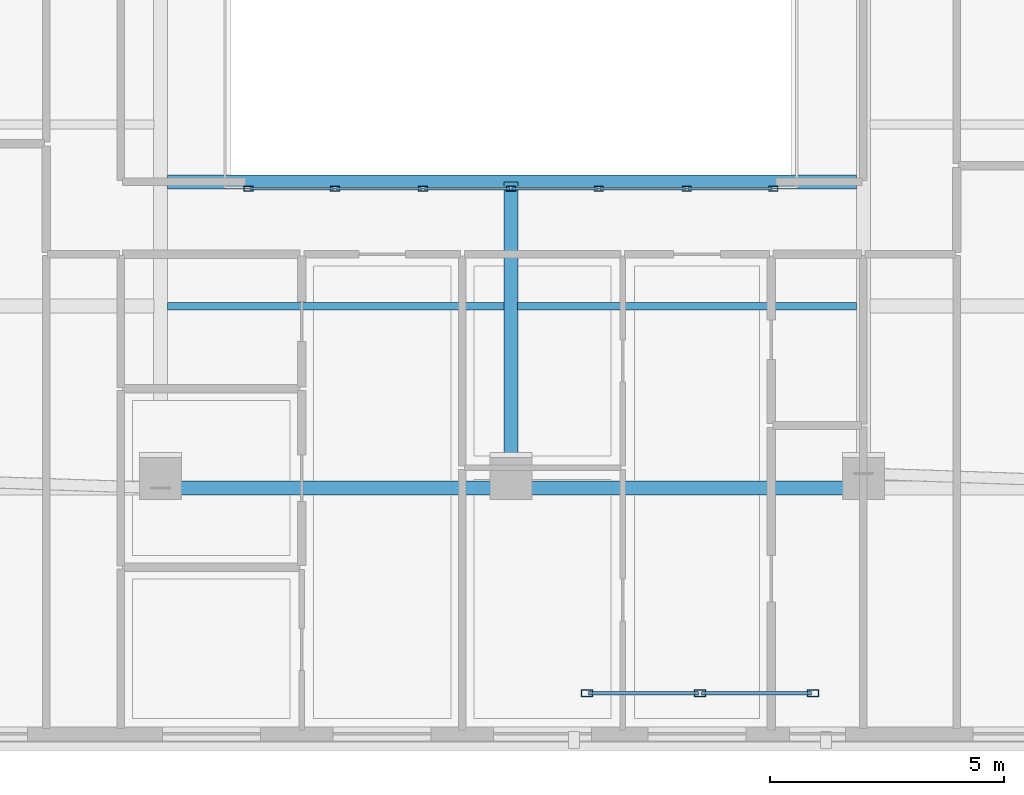
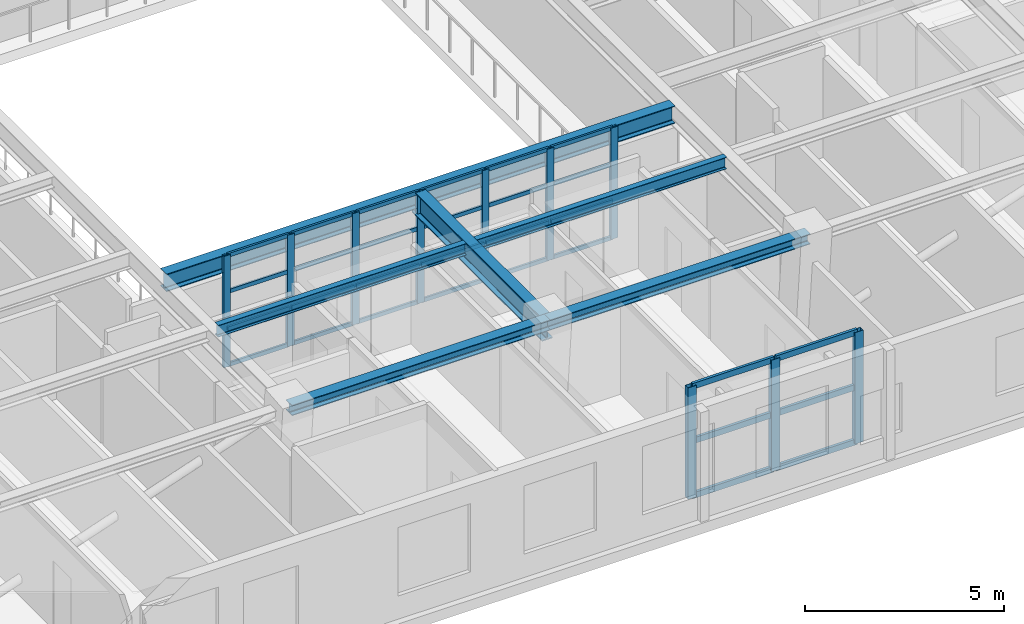
# One storey, part 2 of 14: 40 members, 6 beams, 2 elements without a shape of their own.
"""IFC4 building model written with IfcOpenShell, lengths in metres."""

from ifc_helpers import new_model, si_unit, direction, frame, origin, origin_2d, place, context, subcontext, project, spatial, hollow_rectangle, i_section, extrude, material, layer, layer_set, material_profile, profile_set, type_object, element, aggregate, save


model = new_model("IFC4")

# Units and contexts
model_context = context("Model", 3, precision=1e-05, world=origin(), true_north=direction((0.0, 1.0)))
body_context = subcontext(model_context, "Body", "Model", "MODEL_VIEW")
ifc_project = project(units=[si_unit("LENGTHUNIT", "METRE"), si_unit("AREAUNIT", "SQUARE_METRE"), si_unit("VOLUMEUNIT", "CUBIC_METRE"), si_unit("PLANEANGLEUNIT", "RADIAN"), si_unit("MASSUNIT", "GRAM", prefix="KILO")], contexts=[model_context])

# Site, building, storey
site_placement = place(None, origin())
site = spatial("IfcSite", under=ifc_project, at=site_placement, CompositionType="ELEMENT")
building_placement = place(site_placement, origin())
building = spatial("IfcBuilding", under=site, at=building_placement, Name="Zarnavel Station Tower", CompositionType="ELEMENT")
storey_placement = place(building_placement, frame((0.0, 0.0, 243.60009765625)))
storey = spatial("IfcBuildingStorey", under=building, at=storey_placement, Name="L66", CompositionType="ELEMENT", Elevation=243.60009765625)

# Curtain wall, members
ifc_material_1 = material(Name="Aluminium Dark Anodised and Solar-Control Glass", Category="aluminium")
ifc_layer_1 = layer(ifc_material_1, 0.179931640625)
ifc_layer_set_1 = layer_set([ifc_layer_1], Name="CWS5")
curtain_wall_type_1 = type_object("IfcCurtainWallType", Name="CWS5", PredefinedType="NOTDEFINED", material=ifc_layer_set_1)
curtain_wall_1_placement = place(storey_placement, origin())
curtain_wall_1 = element("IfcCurtainWall", 1, at=curtain_wall_1_placement, inside=storey, type_object=curtain_wall_type_1, Name="L66 Curtain Wall CWS5-L66-AS", PredefinedType="NOTDEFINED")
ifc_material_2 = material(Name="Steel S355J2 (Black Fluoropolymer Coated)", Category="steel")
ifc_material_profile_1 = material_profile(ifc_material_2, hollow_rectangle(XDim=0.10009765625, YDim=0.199951171875, WallThickness=0.008056640625, at=origin_2d()), Name="RHS200x100x8")
ifc_profile_set_1 = profile_set([ifc_material_profile_1], Name="Steel S355J2 (Black Fluoropolymer Coated)")
member_type_1 = type_object("IfcMemberType", Name="CWS5_MUL", PredefinedType="MULLION", material=ifc_profile_set_1)
member_1_placement = place(storey_placement, frame((23.179931640625, 10.25, 0.0), z_axis=(0.0, 0.0, 1.0), x_axis=(0.0, 1.0, 0.0)))
member_1 = element("IfcMember", 2, at=member_1_placement, type_object=member_type_1, Name="CW5 mullion 1", PredefinedType="MULLION", context=body_context, shape_type="SweptSolid", body=[
    extrude(hollow_rectangle(XDim=0.10009765625, YDim=0.199951171875, WallThickness=0.008056640625, at=origin_2d()), origin(), (0.0, 0.0, 1.0), 3.419921875),
])
member_2_placement = place(storey_placement, frame((25.033447265625, 10.25, 0.0), z_axis=(0.0, 0.0, 1.0), x_axis=(0.0, 1.0, 0.0)))
member_2 = element("IfcMember", 3, at=member_2_placement, type_object=member_type_1, Name="CW5 mullion 2", PredefinedType="MULLION", context=body_context, shape_type="SweptSolid", body=[
    extrude(hollow_rectangle(XDim=0.10009765625, YDim=0.199951171875, WallThickness=0.008056640625, at=origin_2d()), origin(), (0.0, 0.0, 1.0), 3.419921875),
])
member_3_placement = place(storey_placement, frame((26.916748046875, 10.25, 0.0), z_axis=(0.0, 0.0, 1.0), x_axis=(0.0, 1.0, 0.0)))
member_3 = element("IfcMember", 4, at=member_3_placement, type_object=member_type_1, Name="CW5 mullion 3", PredefinedType="MULLION", context=body_context, shape_type="SweptSolid", body=[
    extrude(hollow_rectangle(XDim=0.10009765625, YDim=0.199951171875, WallThickness=0.008056640625, at=origin_2d()), origin(), (0.0, 0.0, 1.0), 3.419921875),
])
member_4_placement = place(storey_placement, frame((28.800048828125, 10.25, 0.0), z_axis=(0.0, 0.0, 1.0), x_axis=(0.0, 1.0, 0.0)))
member_4 = element("IfcMember", 5, at=member_4_placement, type_object=member_type_1, Name="CW5 mullion 4", PredefinedType="MULLION", context=body_context, shape_type="SweptSolid", body=[
    extrude(hollow_rectangle(XDim=0.10009765625, YDim=0.199951171875, WallThickness=0.008056640625, at=origin_2d()), origin(), (0.0, 0.0, 1.0), 3.419921875),
])
member_5_placement = place(storey_placement, frame((30.683349609375, 10.25, 0.0), z_axis=(0.0, 0.0, 1.0), x_axis=(0.0, 1.0, 0.0)))
member_5 = element("IfcMember", 6, at=member_5_placement, type_object=member_type_1, Name="CW5 mullion 5", PredefinedType="MULLION", context=body_context, shape_type="SweptSolid", body=[
    extrude(hollow_rectangle(XDim=0.10009765625, YDim=0.199951171875, WallThickness=0.008056640625, at=origin_2d()), origin(), (0.0, 0.0, 1.0), 3.419921875),
])
member_6_placement = place(storey_placement, frame((32.566650390625, 10.25, 0.0), z_axis=(0.0, 0.0, 1.0), x_axis=(0.0, 1.0, 0.0)))
member_6 = element("IfcMember", 7, at=member_6_placement, type_object=member_type_1, Name="CW5 mullion 6", PredefinedType="MULLION", context=body_context, shape_type="SweptSolid", body=[
    extrude(hollow_rectangle(XDim=0.10009765625, YDim=0.199951171875, WallThickness=0.008056640625, at=origin_2d()), origin(), (0.0, 0.0, 1.0), 3.419921875),
])
member_7_placement = place(storey_placement, frame((34.419921875, 10.25, 0.0), z_axis=(0.0, 0.0, 1.0), x_axis=(0.0, 1.0, 0.0)))
member_7 = element("IfcMember", 8, at=member_7_placement, type_object=member_type_1, Name="CW5 mullion 7", PredefinedType="MULLION", context=body_context, shape_type="SweptSolid", body=[
    extrude(hollow_rectangle(XDim=0.10009765625, YDim=0.199951171875, WallThickness=0.008056640625, at=origin_2d()), origin(), (0.0, 0.0, 1.0), 3.419921875),
])
ifc_material_3 = material(Name="Steel S355J2 (Black Fluoropolymer Coated)", Category="steel")
ifc_material_profile_2 = material_profile(ifc_material_3, hollow_rectangle(XDim=0.06005859375, YDim=0.1201171875, WallThickness=0.0048828125, at=origin_2d()), Name="RHS120x60x5")
ifc_profile_set_2 = profile_set([ifc_material_profile_2], Name="Steel S355J2 (Black Fluoropolymer Coated)")
member_type_2 = type_object("IfcMemberType", Name="CWS5_TRN", PredefinedType="USERDEFINED", material=ifc_profile_set_2)
member_8_placement = place(storey_placement, frame((23.2099609375, 10.25, 0.02978515625), z_axis=(1.0, 0.0, 0.0), x_axis=(0.0, 1.0, 0.0)))
member_8 = element("IfcMember", 9, at=member_8_placement, type_object=member_type_2, Name="CW5 transom 1.1", ObjectType="TRANSOM", PredefinedType="USERDEFINED", context=body_context, shape_type="SweptSolid", body=[
    extrude(hollow_rectangle(XDim=0.06005859375, YDim=0.1201171875, WallThickness=0.0048828125, at=origin_2d()), origin(), (0.0, 0.0, 1.0), 1.79345703125),
])
member_9_placement = place(storey_placement, frame((23.2099609375, 10.25, 1.139892578125), z_axis=(1.0, 0.0, 0.0), x_axis=(0.0, 1.0, 0.0)))
member_9 = element("IfcMember", 10, at=member_9_placement, type_object=member_type_2, Name="CW5 transom 1.2", ObjectType="TRANSOM", PredefinedType="USERDEFINED", context=body_context, shape_type="SweptSolid", body=[
    extrude(hollow_rectangle(XDim=0.06005859375, YDim=0.1201171875, WallThickness=0.0048828125, at=origin_2d()), origin(), (0.0, 0.0, 1.0), 1.79345703125),
])
member_10_placement = place(storey_placement, frame((23.2099609375, 10.25, 2.27978515625), z_axis=(1.0, 0.0, 0.0), x_axis=(0.0, 1.0, 0.0)))
member_10 = element("IfcMember", 11, at=member_10_placement, type_object=member_type_2, Name="CW5 transom 1.3", ObjectType="TRANSOM", PredefinedType="USERDEFINED", context=body_context, shape_type="SweptSolid", body=[
    extrude(hollow_rectangle(XDim=0.06005859375, YDim=0.1201171875, WallThickness=0.0048828125, at=origin_2d()), origin(), (0.0, 0.0, 1.0), 1.79345703125),
])
member_11_placement = place(storey_placement, frame((23.2099609375, 10.25, 3.389892578125), z_axis=(1.0, 0.0, 0.0), x_axis=(0.0, 1.0, 0.0)))
member_11 = element("IfcMember", 12, at=member_11_placement, type_object=member_type_2, Name="CW5 transom 1.4", ObjectType="TRANSOM", PredefinedType="USERDEFINED", context=body_context, shape_type="SweptSolid", body=[
    extrude(hollow_rectangle(XDim=0.06005859375, YDim=0.1201171875, WallThickness=0.0048828125, at=origin_2d()), origin(), (0.0, 0.0, 1.0), 1.79345703125),
])
member_12_placement = place(storey_placement, frame((25.063232421875, 10.25, 0.02978515625), z_axis=(1.0, 0.0, 0.0), x_axis=(0.0, 1.0, 0.0)))
member_12 = element("IfcMember", 13, at=member_12_placement, type_object=member_type_2, Name="CW5 transom 2.1", ObjectType="TRANSOM", PredefinedType="USERDEFINED", context=body_context, shape_type="SweptSolid", body=[
    extrude(hollow_rectangle(XDim=0.06005859375, YDim=0.1201171875, WallThickness=0.0048828125, at=origin_2d()), origin(), (0.0, 0.0, 1.0), 1.823486328125),
])
member_13_placement = place(storey_placement, frame((25.063232421875, 10.25, 1.139892578125), z_axis=(1.0, 0.0, 0.0), x_axis=(0.0, 1.0, 0.0)))
member_13 = element("IfcMember", 14, at=member_13_placement, type_object=member_type_2, Name="CW5 transom 2.2", ObjectType="TRANSOM", PredefinedType="USERDEFINED", context=body_context, shape_type="SweptSolid", body=[
    extrude(hollow_rectangle(XDim=0.06005859375, YDim=0.1201171875, WallThickness=0.0048828125, at=origin_2d()), origin(), (0.0, 0.0, 1.0), 1.823486328125),
])
member_14_placement = place(storey_placement, frame((25.063232421875, 10.25, 2.27978515625), z_axis=(1.0, 0.0, 0.0), x_axis=(0.0, 1.0, 0.0)))
member_14 = element("IfcMember", 15, at=member_14_placement, type_object=member_type_2, Name="CW5 transom 2.3", ObjectType="TRANSOM", PredefinedType="USERDEFINED", context=body_context, shape_type="SweptSolid", body=[
    extrude(hollow_rectangle(XDim=0.06005859375, YDim=0.1201171875, WallThickness=0.0048828125, at=origin_2d()), origin(), (0.0, 0.0, 1.0), 1.823486328125),
])
member_15_placement = place(storey_placement, frame((25.063232421875, 10.25, 3.389892578125), z_axis=(1.0, 0.0, 0.0), x_axis=(0.0, 1.0, 0.0)))
member_15 = element("IfcMember", 16, at=member_15_placement, type_object=member_type_2, Name="CW5 transom 2.4", ObjectType="TRANSOM", PredefinedType="USERDEFINED", context=body_context, shape_type="SweptSolid", body=[
    extrude(hollow_rectangle(XDim=0.06005859375, YDim=0.1201171875, WallThickness=0.0048828125, at=origin_2d()), origin(), (0.0, 0.0, 1.0), 1.823486328125),
])
member_16_placement = place(storey_placement, frame((26.94677734375, 10.25, 0.02978515625), z_axis=(1.0, 0.0, 0.0), x_axis=(0.0, 1.0, 0.0)))
member_16 = element("IfcMember", 17, at=member_16_placement, type_object=member_type_2, Name="CW5 transom 3.1", ObjectType="TRANSOM", PredefinedType="USERDEFINED", context=body_context, shape_type="SweptSolid", body=[
    extrude(hollow_rectangle(XDim=0.06005859375, YDim=0.1201171875, WallThickness=0.0048828125, at=origin_2d()), origin(), (0.0, 0.0, 1.0), 1.8232421875),
])
member_17_placement = place(storey_placement, frame((26.94677734375, 10.25, 1.139892578125), z_axis=(1.0, 0.0, 0.0), x_axis=(0.0, 1.0, 0.0)))
member_17 = element("IfcMember", 18, at=member_17_placement, type_object=member_type_2, Name="CW5 transom 3.2", ObjectType="TRANSOM", PredefinedType="USERDEFINED", context=body_context, shape_type="SweptSolid", body=[
    extrude(hollow_rectangle(XDim=0.06005859375, YDim=0.1201171875, WallThickness=0.0048828125, at=origin_2d()), origin(), (0.0, 0.0, 1.0), 1.8232421875),
])
member_18_placement = place(storey_placement, frame((26.94677734375, 10.25, 2.27978515625), z_axis=(1.0, 0.0, 0.0), x_axis=(0.0, 1.0, 0.0)))
member_18 = element("IfcMember", 19, at=member_18_placement, type_object=member_type_2, Name="CW5 transom 3.3", ObjectType="TRANSOM", PredefinedType="USERDEFINED", context=body_context, shape_type="SweptSolid", body=[
    extrude(hollow_rectangle(XDim=0.06005859375, YDim=0.1201171875, WallThickness=0.0048828125, at=origin_2d()), origin(), (0.0, 0.0, 1.0), 1.8232421875),
])
member_19_placement = place(storey_placement, frame((26.94677734375, 10.25, 3.389892578125), z_axis=(1.0, 0.0, 0.0), x_axis=(0.0, 1.0, 0.0)))
member_19 = element("IfcMember", 20, at=member_19_placement, type_object=member_type_2, Name="CW5 transom 3.4", ObjectType="TRANSOM", PredefinedType="USERDEFINED", context=body_context, shape_type="SweptSolid", body=[
    extrude(hollow_rectangle(XDim=0.06005859375, YDim=0.1201171875, WallThickness=0.0048828125, at=origin_2d()), origin(), (0.0, 0.0, 1.0), 1.8232421875),
])
member_20_placement = place(storey_placement, frame((28.830078125, 10.25, 0.02978515625), z_axis=(1.0, 0.0, 0.0), x_axis=(0.0, 1.0, 0.0)))
member_20 = element("IfcMember", 21, at=member_20_placement, type_object=member_type_2, Name="CW5 transom 4.1", ObjectType="TRANSOM", PredefinedType="USERDEFINED", context=body_context, shape_type="SweptSolid", body=[
    extrude(hollow_rectangle(XDim=0.06005859375, YDim=0.1201171875, WallThickness=0.0048828125, at=origin_2d()), origin(), (0.0, 0.0, 1.0), 1.8232421875),
])
member_21_placement = place(storey_placement, frame((28.830078125, 10.25, 1.139892578125), z_axis=(1.0, 0.0, 0.0), x_axis=(0.0, 1.0, 0.0)))
member_21 = element("IfcMember", 22, at=member_21_placement, type_object=member_type_2, Name="CW5 transom 4.2", ObjectType="TRANSOM", PredefinedType="USERDEFINED", context=body_context, shape_type="SweptSolid", body=[
    extrude(hollow_rectangle(XDim=0.06005859375, YDim=0.1201171875, WallThickness=0.0048828125, at=origin_2d()), origin(), (0.0, 0.0, 1.0), 1.8232421875),
])
member_22_placement = place(storey_placement, frame((28.830078125, 10.25, 2.27978515625), z_axis=(1.0, 0.0, 0.0), x_axis=(0.0, 1.0, 0.0)))
member_22 = element("IfcMember", 23, at=member_22_placement, type_object=member_type_2, Name="CW5 transom 4.3", ObjectType="TRANSOM", PredefinedType="USERDEFINED", context=body_context, shape_type="SweptSolid", body=[
    extrude(hollow_rectangle(XDim=0.06005859375, YDim=0.1201171875, WallThickness=0.0048828125, at=origin_2d()), origin(), (0.0, 0.0, 1.0), 1.8232421875),
])
member_23_placement = place(storey_placement, frame((28.830078125, 10.25, 3.389892578125), z_axis=(1.0, 0.0, 0.0), x_axis=(0.0, 1.0, 0.0)))
member_23 = element("IfcMember", 24, at=member_23_placement, type_object=member_type_2, Name="CW5 transom 4.4", ObjectType="TRANSOM", PredefinedType="USERDEFINED", context=body_context, shape_type="SweptSolid", body=[
    extrude(hollow_rectangle(XDim=0.06005859375, YDim=0.1201171875, WallThickness=0.0048828125, at=origin_2d()), origin(), (0.0, 0.0, 1.0), 1.8232421875),
])
member_24_placement = place(storey_placement, frame((30.71337890625, 10.25, 0.02978515625), z_axis=(1.0, 0.0, 0.0), x_axis=(0.0, 1.0, 0.0)))
member_24 = element("IfcMember", 25, at=member_24_placement, type_object=member_type_2, Name="CW5 transom 5.1", ObjectType="TRANSOM", PredefinedType="USERDEFINED", context=body_context, shape_type="SweptSolid", body=[
    extrude(hollow_rectangle(XDim=0.06005859375, YDim=0.1201171875, WallThickness=0.0048828125, at=origin_2d()), origin(), (0.0, 0.0, 1.0), 1.8232421875),
])
member_25_placement = place(storey_placement, frame((30.71337890625, 10.25, 1.139892578125), z_axis=(1.0, 0.0, 0.0), x_axis=(0.0, 1.0, 0.0)))
member_25 = element("IfcMember", 26, at=member_25_placement, type_object=member_type_2, Name="CW5 transom 5.2", ObjectType="TRANSOM", PredefinedType="USERDEFINED", context=body_context, shape_type="SweptSolid", body=[
    extrude(hollow_rectangle(XDim=0.06005859375, YDim=0.1201171875, WallThickness=0.0048828125, at=origin_2d()), origin(), (0.0, 0.0, 1.0), 1.8232421875),
])
member_26_placement = place(storey_placement, frame((30.71337890625, 10.25, 2.27978515625), z_axis=(1.0, 0.0, 0.0), x_axis=(0.0, 1.0, 0.0)))
member_26 = element("IfcMember", 27, at=member_26_placement, type_object=member_type_2, Name="CW5 transom 5.3", ObjectType="TRANSOM", PredefinedType="USERDEFINED", context=body_context, shape_type="SweptSolid", body=[
    extrude(hollow_rectangle(XDim=0.06005859375, YDim=0.1201171875, WallThickness=0.0048828125, at=origin_2d()), origin(), (0.0, 0.0, 1.0), 1.8232421875),
])
member_27_placement = place(storey_placement, frame((30.71337890625, 10.25, 3.389892578125), z_axis=(1.0, 0.0, 0.0), x_axis=(0.0, 1.0, 0.0)))
member_27 = element("IfcMember", 28, at=member_27_placement, type_object=member_type_2, Name="CW5 transom 5.4", ObjectType="TRANSOM", PredefinedType="USERDEFINED", context=body_context, shape_type="SweptSolid", body=[
    extrude(hollow_rectangle(XDim=0.06005859375, YDim=0.1201171875, WallThickness=0.0048828125, at=origin_2d()), origin(), (0.0, 0.0, 1.0), 1.8232421875),
])
member_28_placement = place(storey_placement, frame((32.5966796875, 10.25, 0.02978515625), z_axis=(1.0, 0.0, 0.0), x_axis=(0.0, 1.0, 0.0)))
member_28 = element("IfcMember", 29, at=member_28_placement, type_object=member_type_2, Name="CW5 transom 6.1", ObjectType="TRANSOM", PredefinedType="USERDEFINED", context=body_context, shape_type="SweptSolid", body=[
    extrude(hollow_rectangle(XDim=0.06005859375, YDim=0.1201171875, WallThickness=0.0048828125, at=origin_2d()), origin(), (0.0, 0.0, 1.0), 1.793212890625),
])
member_29_placement = place(storey_placement, frame((32.5966796875, 10.25, 1.139892578125), z_axis=(1.0, 0.0, 0.0), x_axis=(0.0, 1.0, 0.0)))
member_29 = element("IfcMember", 30, at=member_29_placement, type_object=member_type_2, Name="CW5 transom 6.2", ObjectType="TRANSOM", PredefinedType="USERDEFINED", context=body_context, shape_type="SweptSolid", body=[
    extrude(hollow_rectangle(XDim=0.06005859375, YDim=0.1201171875, WallThickness=0.0048828125, at=origin_2d()), origin(), (0.0, 0.0, 1.0), 1.793212890625),
])
member_30_placement = place(storey_placement, frame((32.5966796875, 10.25, 2.27978515625), z_axis=(1.0, 0.0, 0.0), x_axis=(0.0, 1.0, 0.0)))
member_30 = element("IfcMember", 31, at=member_30_placement, type_object=member_type_2, Name="CW5 transom 6.3", ObjectType="TRANSOM", PredefinedType="USERDEFINED", context=body_context, shape_type="SweptSolid", body=[
    extrude(hollow_rectangle(XDim=0.06005859375, YDim=0.1201171875, WallThickness=0.0048828125, at=origin_2d()), origin(), (0.0, 0.0, 1.0), 1.793212890625),
])
member_31_placement = place(storey_placement, frame((32.5966796875, 10.25, 3.389892578125), z_axis=(1.0, 0.0, 0.0), x_axis=(0.0, 1.0, 0.0)))
member_31 = element("IfcMember", 32, at=member_31_placement, type_object=member_type_2, Name="CW5 transom 6.4", ObjectType="TRANSOM", PredefinedType="USERDEFINED", context=body_context, shape_type="SweptSolid", body=[
    extrude(hollow_rectangle(XDim=0.06005859375, YDim=0.1201171875, WallThickness=0.0048828125, at=origin_2d()), origin(), (0.0, 0.0, 1.0), 1.793212890625),
])
aggregate(curtain_wall_1, [member_1, member_2, member_3, member_4, member_5, member_6, member_7, member_8, member_9, member_10, member_11, member_12, member_13, member_14, member_15, member_16, member_17, member_18, member_19, member_20, member_21, member_22, member_23, member_24, member_25, member_26, member_27, member_28, member_29, member_30, member_31])

ifc_material_4 = material(Name="Aluminium Dark Anodised and Solar-Control Glass", Category="aluminium")
ifc_layer_2 = layer(ifc_material_4, 0.179931640625)
ifc_layer_set_2 = layer_set([ifc_layer_2], Name="CWS6")
curtain_wall_type_2 = type_object("IfcCurtainWallType", Name="CWS6", PredefinedType="NOTDEFINED", material=ifc_layer_set_2)
curtain_wall_2_placement = place(storey_placement, origin())
curtain_wall_2 = element("IfcCurtainWall", 33, at=curtain_wall_2_placement, inside=storey, type_object=curtain_wall_type_2, Name="L66 Curtain Wall CWS6-LOG-L66", PredefinedType="NOTDEFINED")
ifc_material_5 = material(Name="Steel S355J2 (Black Fluoropolymer Coated)", Category="steel")
ifc_material_profile_3 = material_profile(ifc_material_5, hollow_rectangle(XDim=0.14990234375, YDim=0.25, WallThickness=0.010009765625, at=origin_2d()), Name="RHS250x150x10")
ifc_profile_set_3 = profile_set([ifc_material_profile_3], Name="Steel S355J2 (Black Fluoropolymer Coated)")
member_type_3 = type_object("IfcMemberType", Name="CWS6_MUL", PredefinedType="MULLION", material=ifc_profile_set_3)
member_32_placement = place(storey_placement, frame((30.429931640625, -0.550048828125, 0.0), z_axis=(0.0, 0.0, 1.0), x_axis=(0.0, 1.0, 0.0)))
member_32 = element("IfcMember", 34, at=member_32_placement, type_object=member_type_3, Name="CW6 mullion 1", PredefinedType="MULLION", context=body_context, shape_type="SweptSolid", body=[
    extrude(hollow_rectangle(XDim=0.14990234375, YDim=0.25, WallThickness=0.010009765625, at=origin_2d()), origin(), (0.0, 0.0, 1.0), 3.419921875),
])
member_33_placement = place(storey_placement, frame((32.85009765625, -0.550048828125, 0.0), z_axis=(0.0, 0.0, 1.0), x_axis=(0.0, 1.0, 0.0)))
member_33 = element("IfcMember", 35, at=member_33_placement, type_object=member_type_3, Name="CW6 mullion 2", PredefinedType="MULLION", context=body_context, shape_type="SweptSolid", body=[
    extrude(hollow_rectangle(XDim=0.14990234375, YDim=0.25, WallThickness=0.010009765625, at=origin_2d()), origin(), (0.0, 0.0, 1.0), 3.419921875),
])
member_34_placement = place(storey_placement, frame((35.27001953125, -0.550048828125, 0.0), z_axis=(0.0, 0.0, 1.0), x_axis=(0.0, 1.0, 0.0)))
member_34 = element("IfcMember", 36, at=member_34_placement, type_object=member_type_3, Name="CW6 mullion 3", PredefinedType="MULLION", context=body_context, shape_type="SweptSolid", body=[
    extrude(hollow_rectangle(XDim=0.14990234375, YDim=0.25, WallThickness=0.010009765625, at=origin_2d()), origin(), (0.0, 0.0, 1.0), 3.419921875),
])
ifc_material_6 = material(Name="Steel S355J2 (Black Fluoropolymer Coated)", Category="steel")
ifc_material_profile_4 = material_profile(ifc_material_6, hollow_rectangle(XDim=0.080078125, YDim=0.179931640625, WallThickness=0.00634765625, at=origin_2d()), Name="RHS180x80x6.3")
ifc_profile_set_4 = profile_set([ifc_material_profile_4], Name="Steel S355J2 (Black Fluoropolymer Coated)")
member_type_4 = type_object("IfcMemberType", Name="CWS6_TRN", PredefinedType="USERDEFINED", material=ifc_profile_set_4)
member_35_placement = place(storey_placement, frame((30.4599609375, -0.550048828125, 0.02978515625), z_axis=(1.0, 0.0, 0.0), x_axis=(0.0, 1.0, 0.0)))
member_35 = element("IfcMember", 37, at=member_35_placement, type_object=member_type_4, Name="CW6 transom 1.1", ObjectType="TRANSOM", PredefinedType="USERDEFINED", context=body_context, shape_type="SweptSolid", body=[
    extrude(hollow_rectangle(XDim=0.080078125, YDim=0.179931640625, WallThickness=0.00634765625, at=origin_2d()), origin(), (0.0, 0.0, 1.0), 2.360107421875),
])
member_36_placement = place(storey_placement, frame((30.4599609375, -0.550048828125, 1.7099609375), z_axis=(1.0, 0.0, 0.0), x_axis=(0.0, 1.0, 0.0)))
member_36 = element("IfcMember", 38, at=member_36_placement, type_object=member_type_4, Name="CW6 transom 1.2", ObjectType="TRANSOM", PredefinedType="USERDEFINED", context=body_context, shape_type="SweptSolid", body=[
    extrude(hollow_rectangle(XDim=0.080078125, YDim=0.179931640625, WallThickness=0.00634765625, at=origin_2d()), origin(), (0.0, 0.0, 1.0), 2.360107421875),
])
member_37_placement = place(storey_placement, frame((30.4599609375, -0.550048828125, 3.389892578125), z_axis=(1.0, 0.0, 0.0), x_axis=(0.0, 1.0, 0.0)))
member_37 = element("IfcMember", 39, at=member_37_placement, type_object=member_type_4, Name="CW6 transom 1.3", ObjectType="TRANSOM", PredefinedType="USERDEFINED", context=body_context, shape_type="SweptSolid", body=[
    extrude(hollow_rectangle(XDim=0.080078125, YDim=0.179931640625, WallThickness=0.00634765625, at=origin_2d()), origin(), (0.0, 0.0, 1.0), 2.360107421875),
])
member_38_placement = place(storey_placement, frame((32.8798828125, -0.550048828125, 0.02978515625), z_axis=(1.0, 0.0, 0.0), x_axis=(0.0, 1.0, 0.0)))
member_38 = element("IfcMember", 40, at=member_38_placement, type_object=member_type_4, Name="CW6 transom 2.1", ObjectType="TRANSOM", PredefinedType="USERDEFINED", context=body_context, shape_type="SweptSolid", body=[
    extrude(hollow_rectangle(XDim=0.080078125, YDim=0.179931640625, WallThickness=0.00634765625, at=origin_2d()), origin(), (0.0, 0.0, 1.0), 2.360107421875),
])
member_39_placement = place(storey_placement, frame((32.8798828125, -0.550048828125, 1.7099609375), z_axis=(1.0, 0.0, 0.0), x_axis=(0.0, 1.0, 0.0)))
member_39 = element("IfcMember", 41, at=member_39_placement, type_object=member_type_4, Name="CW6 transom 2.2", ObjectType="TRANSOM", PredefinedType="USERDEFINED", context=body_context, shape_type="SweptSolid", body=[
    extrude(hollow_rectangle(XDim=0.080078125, YDim=0.179931640625, WallThickness=0.00634765625, at=origin_2d()), origin(), (0.0, 0.0, 1.0), 2.360107421875),
])
member_40_placement = place(storey_placement, frame((32.8798828125, -0.550048828125, 3.389892578125), z_axis=(1.0, 0.0, 0.0), x_axis=(0.0, 1.0, 0.0)))
member_40 = element("IfcMember", 42, at=member_40_placement, type_object=member_type_4, Name="CW6 transom 2.3", ObjectType="TRANSOM", PredefinedType="USERDEFINED", context=body_context, shape_type="SweptSolid", body=[
    extrude(hollow_rectangle(XDim=0.080078125, YDim=0.179931640625, WallThickness=0.00634765625, at=origin_2d()), origin(), (0.0, 0.0, 1.0), 2.360107421875),
])
aggregate(curtain_wall_2, [member_32, member_33, member_34, member_35, member_36, member_37, member_38, member_39, member_40])

# Beams
ifc_material_7 = material(Name="Steel S355J2", Category="steel")
ifc_material_profile_5 = material_profile(ifc_material_7, i_section(OverallWidth=0.300048828125, OverallDepth=0.320068359375, WebThickness=0.011474609375, FlangeThickness=0.0205078125, FilletRadius=0.027099609375, at=origin_2d()), Name="HEB320")
ifc_profile_set_5 = profile_set([ifc_material_profile_5], Name="Steel S355J2")
beam_type_1 = type_object("IfcBeamType", Name="EB_HEB320", PredefinedType="SPANDREL", material=ifc_profile_set_5)
beam_1_placement = place(storey_placement, frame((21.300048828125, 3.843017578125, 3.260009765625), z_axis=(1.0, 0.0, 0.0), x_axis=(0.0, 1.0, 0.0)))
element("IfcBeam", 43, at=beam_1_placement, inside=storey, type_object=beam_type_1, Name="L66 South Raked Spandrel 2", PredefinedType="SPANDREL", context=body_context, shape_type="SweptSolid", body=[
    extrude(i_section(OverallWidth=0.300048828125, OverallDepth=0.320068359375, WebThickness=0.011474609375, FlangeThickness=0.0205078125, FilletRadius=0.027099609375, at=origin_2d()), origin(), (0.0, 0.0, 1.0), 7.5),
])
beam_2_placement = place(storey_placement, frame((28.800048828125, 3.843017578125, 3.260009765625), z_axis=(1.0, 0.0, 0.0), x_axis=(0.0, 1.0, 0.0)))
element("IfcBeam", 44, at=beam_2_placement, inside=storey, type_object=beam_type_1, Name="L66 South Raked Spandrel 3", PredefinedType="SPANDREL", context=body_context, shape_type="SweptSolid", body=[
    extrude(i_section(OverallWidth=0.300048828125, OverallDepth=0.320068359375, WebThickness=0.011474609375, FlangeThickness=0.0205078125, FilletRadius=0.027099609375, at=origin_2d()), origin(), (0.0, 0.0, 1.0), 7.550048828125),
])
ifc_material_8 = material(Name="Steel S355J2", Category="steel")
ifc_material_profile_6 = material_profile(ifc_material_8, i_section(OverallWidth=0.300048828125, OverallDepth=0.5400390625, WebThickness=0.012451171875, FlangeThickness=0.02392578125, FilletRadius=0.027099609375, at=origin_2d()), Name="HEA550")
ifc_profile_set_6 = profile_set([ifc_material_profile_6], Name="Steel S355J2")
beam_type_2 = type_object("IfcBeamType", Name="FB_HEA550", PredefinedType="BEAM", material=ifc_profile_set_6)
beam_3_placement = place(storey_placement, frame((21.445068359375, 10.39990234375, 3.14990234375), z_axis=(1.0, 0.0, 0.0), x_axis=(0.0, 1.0, 0.0)))
element("IfcBeam", 45, at=beam_3_placement, inside=storey, type_object=beam_type_2, Name="L66 Atrium South Edge Girder", PredefinedType="BEAM", context=body_context, shape_type="SweptSolid", body=[
    extrude(i_section(OverallWidth=0.300048828125, OverallDepth=0.5400390625, WebThickness=0.012451171875, FlangeThickness=0.02392578125, FilletRadius=0.027099609375, at=origin_2d()), origin(), (0.0, 0.0, 1.0), 14.760009765625),
])
ifc_material_9 = material(Name="Steel S355J2", Category="steel")
ifc_material_profile_7 = material_profile(ifc_material_9, i_section(OverallWidth=0.300048828125, OverallDepth=0.699951171875, WebThickness=0.01708984375, FlangeThickness=0.031982421875, FilletRadius=0.027099609375, at=origin_2d()), Name="HEB700")
ifc_profile_set_7 = profile_set([ifc_material_profile_7], Name="Steel S355J2")
beam_type_3 = type_object("IfcBeamType", Name="FG_HEB700", PredefinedType="USERDEFINED", material=ifc_profile_set_7)
beam_4_placement = place(storey_placement, frame((28.800048828125, 3.843017578125, 3.06982421875), z_axis=(0.0, 1.0, 0.0), x_axis=(-1.0, 0.0, 0.0)))
element("IfcBeam", 46, at=beam_4_placement, inside=storey, type_object=beam_type_3, Name="L66 Central Atrium-South Girder", ObjectType="GIRDER", PredefinedType="USERDEFINED", context=body_context, shape_type="SweptSolid", body=[
    extrude(i_section(OverallWidth=0.300048828125, OverallDepth=0.699951171875, WebThickness=0.01708984375, FlangeThickness=0.031982421875, FilletRadius=0.027099609375, at=origin_2d()), origin(), (0.0, 0.0, 1.0), 6.556884765625),
])
ifc_material_10 = material(Name="Steel S355J2", Category="steel")
ifc_material_profile_8 = material_profile(ifc_material_10, i_section(OverallWidth=0.169921875, OverallDepth=0.360107421875, WebThickness=0.008056640625, FlangeThickness=0.0126953125, FilletRadius=0.01806640625, at=origin_2d()), Name="IPE360")
ifc_profile_set_8 = profile_set([ifc_material_profile_8], Name="Steel S355J2")
beam_type_4 = type_object("IfcBeamType", Name="FJ_IPE360", PredefinedType="JOIST", material=ifc_profile_set_8)
beam_5_placement = place(storey_placement, frame((21.445068359375, 7.73583984375, 3.239990234375), z_axis=(1.0, 0.0, 0.0), x_axis=(0.0, 1.0, 0.0)))
element("IfcBeam", 47, at=beam_5_placement, inside=storey, type_object=beam_type_4, Name="L66 Mid-West Joist 1", PredefinedType="JOIST", context=body_context, shape_type="SweptSolid", body=[
    extrude(i_section(OverallWidth=0.169921875, OverallDepth=0.360107421875, WebThickness=0.008056640625, FlangeThickness=0.0126953125, FilletRadius=0.01806640625, at=origin_2d()), origin(), (0.0, 0.0, 1.0), 7.2099609375),
])
beam_6_placement = place(storey_placement, frame((28.945068359375, 7.73583984375, 3.239990234375), z_axis=(1.0, 0.0, 0.0), x_axis=(0.0, 1.0, 0.0)))
element("IfcBeam", 48, at=beam_6_placement, inside=storey, type_object=beam_type_4, Name="L66 Mid-East Joist 1", PredefinedType="JOIST", context=body_context, shape_type="SweptSolid", body=[
    extrude(i_section(OverallWidth=0.169921875, OverallDepth=0.360107421875, WebThickness=0.008056640625, FlangeThickness=0.0126953125, FilletRadius=0.01806640625, at=origin_2d()), origin(), (0.0, 0.0, 1.0), 7.260009765625),
])

save(model, "model.ifc")
